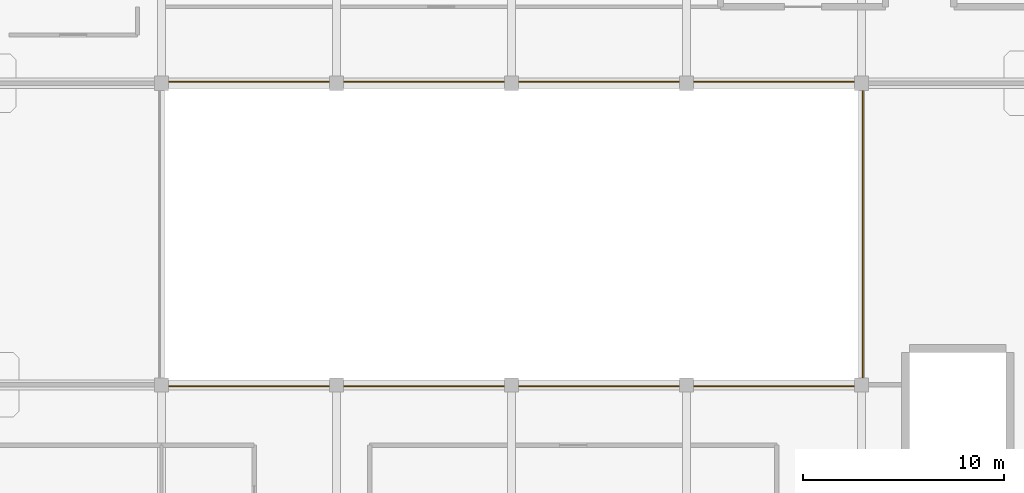
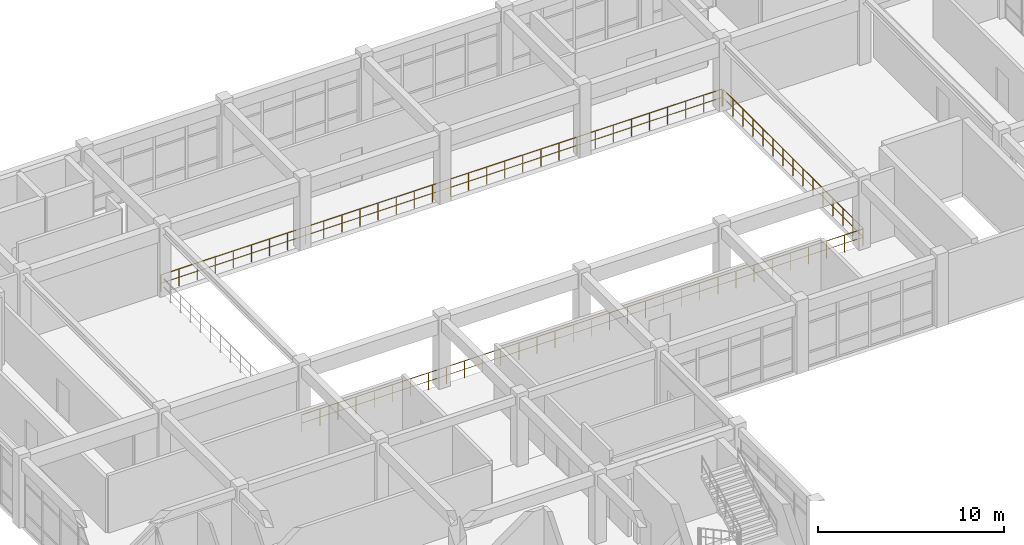
# One storey, part 63 of 64: 3 railings.
"""IFC4 building model written with IfcOpenShell, lengths in metres."""

from ifc_helpers import new_model, si_unit, derived_unit, direction, frame, origin, origin_2d, place, context, subcontext, project, spatial, circle, extrude, material, type_object, element, save


model = new_model("IFC4")

# Units and contexts
model_context = context("Model", 3, precision=1e-05, world=origin(), true_north=direction((0.0, 1.0)))
body_context = subcontext(model_context, "Body", "Model", "MODEL_VIEW")
ifc_project = project(units=[si_unit("LENGTHUNIT", "METRE"), si_unit("AREAUNIT", "SQUARE_METRE"), si_unit("VOLUMEUNIT", "CUBIC_METRE"), si_unit("PLANEANGLEUNIT", "RADIAN"), si_unit("MASSUNIT", "GRAM", prefix="KILO"), derived_unit("THERMALTRANSMITTANCEUNIT", [(si_unit("MASSUNIT", "GRAM", prefix="KILO"), 1), (si_unit("TIMEUNIT", "SECOND"), -3), (si_unit("THERMODYNAMICTEMPERATUREUNIT", "KELVIN"), -1)])], contexts=[model_context])

# Site, building, storey
site_placement = place(None, origin())
site = spatial("IfcSite", under=ifc_project, at=site_placement, CompositionType="ELEMENT")
building_placement = place(site_placement, origin())
building = spatial("IfcBuilding", under=site, at=building_placement, Name="Qinzheling Arcade Emporium", CompositionType="ELEMENT")
storey_placement = place(building_placement, frame((0.0, 0.0, 31.5)))
storey = spatial("IfcBuildingStorey", under=building, at=storey_placement, Name="L07", CompositionType="ELEMENT", Elevation=31.5)

# Railings
ifc_material = material(Name="Galvanised powder-coated tubular steel", Category="steel")
railing_type = type_object("IfcRailingType", Name="Painted Steel Stairwell Guard Railing 1150", PredefinedType="GUARDRAIL", material=ifc_material)
railing_1_placement = place(storey_placement, frame((52.169921875, 50.320068359375, 0.0)))
element("IfcRailing", 1, at=railing_1_placement, inside=storey, type_object=railing_type, Name="Atrium Void Guard L07 S", PredefinedType="GUARDRAIL", context=body_context, shape_type="SweptSolid", body=[
    extrude(circle(Radius=0.02392578125, at=origin_2d()), frame((0.0, 0.0, 1.1259765625), z_axis=(1.0, 0.0, 0.0), x_axis=(0.0, 1.0, 0.0)), (0.0, 0.0, 1.0), 34.860107421875),
    extrude(circle(Radius=0.01611328125, at=origin_2d()), frame((0.0, 0.0, 0.574951171875), z_axis=(1.0, 0.0, 0.0), x_axis=(0.0, 1.0, 0.0)), (0.0, 0.0, 1.0), 34.860107421875),
    extrude(circle(Radius=0.02099609375, at=origin_2d()), origin(), (0.0, 0.0, 1.0), 1.101806640625),
    extrude(circle(Radius=0.02099609375, at=origin_2d()), frame((1.12451171875, 0.0, 0.0)), (0.0, 0.0, 1.0), 1.101806640625),
    extrude(circle(Radius=0.02099609375, at=origin_2d()), frame((2.2490234375, 0.0, 0.0)), (0.0, 0.0, 1.0), 1.101806640625),
    extrude(circle(Radius=0.02099609375, at=origin_2d()), frame((3.37353515625, 0.0, 0.0)), (0.0, 0.0, 1.0), 1.101806640625),
    extrude(circle(Radius=0.02099609375, at=origin_2d()), frame((4.498046875, 0.0, 0.0)), (0.0, 0.0, 1.0), 1.101806640625),
    extrude(circle(Radius=0.02099609375, at=origin_2d()), frame((5.62255859375, 0.0, 0.0)), (0.0, 0.0, 1.0), 1.101806640625),
    extrude(circle(Radius=0.02099609375, at=origin_2d()), frame((6.7470703125, 0.0, 0.0)), (0.0, 0.0, 1.0), 1.101806640625),
    extrude(circle(Radius=0.02099609375, at=origin_2d()), frame((7.87158203125, 0.0, 0.0)), (0.0, 0.0, 1.0), 1.101806640625),
    extrude(circle(Radius=0.02099609375, at=origin_2d()), frame((8.99609375, 0.0, 0.0)), (0.0, 0.0, 1.0), 1.101806640625),
    extrude(circle(Radius=0.02099609375, at=origin_2d()), frame((10.12060546875, 0.0, 0.0)), (0.0, 0.0, 1.0), 1.101806640625),
    extrude(circle(Radius=0.02099609375, at=origin_2d()), frame((11.2451171875, 0.0, 0.0)), (0.0, 0.0, 1.0), 1.101806640625),
    extrude(circle(Radius=0.02099609375, at=origin_2d()), frame((12.36962890625, 0.0, 0.0)), (0.0, 0.0, 1.0), 1.101806640625),
    extrude(circle(Radius=0.02099609375, at=origin_2d()), frame((13.494140625, 0.0, 0.0)), (0.0, 0.0, 1.0), 1.101806640625),
    extrude(circle(Radius=0.02099609375, at=origin_2d()), frame((14.61865234375, 0.0, 0.0)), (0.0, 0.0, 1.0), 1.101806640625),
    extrude(circle(Radius=0.02099609375, at=origin_2d()), frame((15.7431640625, 0.0, 0.0)), (0.0, 0.0, 1.0), 1.101806640625),
    extrude(circle(Radius=0.02099609375, at=origin_2d()), frame((16.86767578125, 0.0, 0.0)), (0.0, 0.0, 1.0), 1.101806640625),
    extrude(circle(Radius=0.02099609375, at=origin_2d()), frame((17.992431640625, 0.0, 0.0)), (0.0, 0.0, 1.0), 1.101806640625),
    extrude(circle(Radius=0.02099609375, at=origin_2d()), frame((19.116943359375, 0.0, 0.0)), (0.0, 0.0, 1.0), 1.101806640625),
    extrude(circle(Radius=0.02099609375, at=origin_2d()), frame((20.241455078125, 0.0, 0.0)), (0.0, 0.0, 1.0), 1.101806640625),
    extrude(circle(Radius=0.02099609375, at=origin_2d()), frame((21.365966796875, 0.0, 0.0)), (0.0, 0.0, 1.0), 1.101806640625),
    extrude(circle(Radius=0.02099609375, at=origin_2d()), frame((22.490478515625, 0.0, 0.0)), (0.0, 0.0, 1.0), 1.101806640625),
    extrude(circle(Radius=0.02099609375, at=origin_2d()), frame((23.614990234375, 0.0, 0.0)), (0.0, 0.0, 1.0), 1.101806640625),
    extrude(circle(Radius=0.02099609375, at=origin_2d()), frame((24.739501953125, 0.0, 0.0)), (0.0, 0.0, 1.0), 1.101806640625),
    extrude(circle(Radius=0.02099609375, at=origin_2d()), frame((25.864013671875, 0.0, 0.0)), (0.0, 0.0, 1.0), 1.101806640625),
    extrude(circle(Radius=0.02099609375, at=origin_2d()), frame((26.988525390625, 0.0, 0.0)), (0.0, 0.0, 1.0), 1.101806640625),
    extrude(circle(Radius=0.02099609375, at=origin_2d()), frame((28.113037109375, 0.0, 0.0)), (0.0, 0.0, 1.0), 1.101806640625),
    extrude(circle(Radius=0.02099609375, at=origin_2d()), frame((29.237548828125, 0.0, 0.0)), (0.0, 0.0, 1.0), 1.101806640625),
    extrude(circle(Radius=0.02099609375, at=origin_2d()), frame((30.362060546875, 0.0, 0.0)), (0.0, 0.0, 1.0), 1.101806640625),
    extrude(circle(Radius=0.02099609375, at=origin_2d()), frame((31.486572265625, 0.0, 0.0)), (0.0, 0.0, 1.0), 1.101806640625),
    extrude(circle(Radius=0.02099609375, at=origin_2d()), frame((32.611083984375, 0.0, 0.0)), (0.0, 0.0, 1.0), 1.101806640625),
    extrude(circle(Radius=0.02099609375, at=origin_2d()), frame((33.735595703125, 0.0, 0.0)), (0.0, 0.0, 1.0), 1.101806640625),
    extrude(circle(Radius=0.02099609375, at=origin_2d()), frame((34.860107421875, 0.0, 0.0)), (0.0, 0.0, 1.0), 1.101806640625),
])
railing_2_placement = place(storey_placement, frame((52.169921875, 65.47998046875, 0.0)))
element("IfcRailing", 2, at=railing_2_placement, inside=storey, type_object=railing_type, Name="Atrium Void Guard L07 N", PredefinedType="GUARDRAIL", context=body_context, shape_type="SweptSolid", body=[
    extrude(circle(Radius=0.02392578125, at=origin_2d()), frame((0.0, 0.0, 1.1259765625), z_axis=(1.0, 0.0, 0.0), x_axis=(0.0, 1.0, 0.0)), (0.0, 0.0, 1.0), 34.860107421875),
    extrude(circle(Radius=0.01611328125, at=origin_2d()), frame((0.0, 0.0, 0.574951171875), z_axis=(1.0, 0.0, 0.0), x_axis=(0.0, 1.0, 0.0)), (0.0, 0.0, 1.0), 34.860107421875),
    extrude(circle(Radius=0.02099609375, at=origin_2d()), origin(), (0.0, 0.0, 1.0), 1.101806640625),
    extrude(circle(Radius=0.02099609375, at=origin_2d()), frame((1.12451171875, 0.0, 0.0)), (0.0, 0.0, 1.0), 1.101806640625),
    extrude(circle(Radius=0.02099609375, at=origin_2d()), frame((2.2490234375, 0.0, 0.0)), (0.0, 0.0, 1.0), 1.101806640625),
    extrude(circle(Radius=0.02099609375, at=origin_2d()), frame((3.37353515625, 0.0, 0.0)), (0.0, 0.0, 1.0), 1.101806640625),
    extrude(circle(Radius=0.02099609375, at=origin_2d()), frame((4.498046875, 0.0, 0.0)), (0.0, 0.0, 1.0), 1.101806640625),
    extrude(circle(Radius=0.02099609375, at=origin_2d()), frame((5.62255859375, 0.0, 0.0)), (0.0, 0.0, 1.0), 1.101806640625),
    extrude(circle(Radius=0.02099609375, at=origin_2d()), frame((6.7470703125, 0.0, 0.0)), (0.0, 0.0, 1.0), 1.101806640625),
    extrude(circle(Radius=0.02099609375, at=origin_2d()), frame((7.87158203125, 0.0, 0.0)), (0.0, 0.0, 1.0), 1.101806640625),
    extrude(circle(Radius=0.02099609375, at=origin_2d()), frame((8.99609375, 0.0, 0.0)), (0.0, 0.0, 1.0), 1.101806640625),
    extrude(circle(Radius=0.02099609375, at=origin_2d()), frame((10.12060546875, 0.0, 0.0)), (0.0, 0.0, 1.0), 1.101806640625),
    extrude(circle(Radius=0.02099609375, at=origin_2d()), frame((11.2451171875, 0.0, 0.0)), (0.0, 0.0, 1.0), 1.101806640625),
    extrude(circle(Radius=0.02099609375, at=origin_2d()), frame((12.36962890625, 0.0, 0.0)), (0.0, 0.0, 1.0), 1.101806640625),
    extrude(circle(Radius=0.02099609375, at=origin_2d()), frame((13.494140625, 0.0, 0.0)), (0.0, 0.0, 1.0), 1.101806640625),
    extrude(circle(Radius=0.02099609375, at=origin_2d()), frame((14.61865234375, 0.0, 0.0)), (0.0, 0.0, 1.0), 1.101806640625),
    extrude(circle(Radius=0.02099609375, at=origin_2d()), frame((15.7431640625, 0.0, 0.0)), (0.0, 0.0, 1.0), 1.101806640625),
    extrude(circle(Radius=0.02099609375, at=origin_2d()), frame((16.86767578125, 0.0, 0.0)), (0.0, 0.0, 1.0), 1.101806640625),
    extrude(circle(Radius=0.02099609375, at=origin_2d()), frame((17.992431640625, 0.0, 0.0)), (0.0, 0.0, 1.0), 1.101806640625),
    extrude(circle(Radius=0.02099609375, at=origin_2d()), frame((19.116943359375, 0.0, 0.0)), (0.0, 0.0, 1.0), 1.101806640625),
    extrude(circle(Radius=0.02099609375, at=origin_2d()), frame((20.241455078125, 0.0, 0.0)), (0.0, 0.0, 1.0), 1.101806640625),
    extrude(circle(Radius=0.02099609375, at=origin_2d()), frame((21.365966796875, 0.0, 0.0)), (0.0, 0.0, 1.0), 1.101806640625),
    extrude(circle(Radius=0.02099609375, at=origin_2d()), frame((22.490478515625, 0.0, 0.0)), (0.0, 0.0, 1.0), 1.101806640625),
    extrude(circle(Radius=0.02099609375, at=origin_2d()), frame((23.614990234375, 0.0, 0.0)), (0.0, 0.0, 1.0), 1.101806640625),
    extrude(circle(Radius=0.02099609375, at=origin_2d()), frame((24.739501953125, 0.0, 0.0)), (0.0, 0.0, 1.0), 1.101806640625),
    extrude(circle(Radius=0.02099609375, at=origin_2d()), frame((25.864013671875, 0.0, 0.0)), (0.0, 0.0, 1.0), 1.101806640625),
    extrude(circle(Radius=0.02099609375, at=origin_2d()), frame((26.988525390625, 0.0, 0.0)), (0.0, 0.0, 1.0), 1.101806640625),
    extrude(circle(Radius=0.02099609375, at=origin_2d()), frame((28.113037109375, 0.0, 0.0)), (0.0, 0.0, 1.0), 1.101806640625),
    extrude(circle(Radius=0.02099609375, at=origin_2d()), frame((29.237548828125, 0.0, 0.0)), (0.0, 0.0, 1.0), 1.101806640625),
    extrude(circle(Radius=0.02099609375, at=origin_2d()), frame((30.362060546875, 0.0, 0.0)), (0.0, 0.0, 1.0), 1.101806640625),
    extrude(circle(Radius=0.02099609375, at=origin_2d()), frame((31.486572265625, 0.0, 0.0)), (0.0, 0.0, 1.0), 1.101806640625),
    extrude(circle(Radius=0.02099609375, at=origin_2d()), frame((32.611083984375, 0.0, 0.0)), (0.0, 0.0, 1.0), 1.101806640625),
    extrude(circle(Radius=0.02099609375, at=origin_2d()), frame((33.735595703125, 0.0, 0.0)), (0.0, 0.0, 1.0), 1.101806640625),
    extrude(circle(Radius=0.02099609375, at=origin_2d()), frame((34.860107421875, 0.0, 0.0)), (0.0, 0.0, 1.0), 1.101806640625),
])
railing_3_placement = place(storey_placement, frame((87.080078125, 50.3701171875, 0.0)))
element("IfcRailing", 3, at=railing_3_placement, inside=storey, type_object=railing_type, Name="Atrium Void Guard L07 E", PredefinedType="GUARDRAIL", context=body_context, shape_type="SweptSolid", body=[
    extrude(circle(Radius=0.02392578125, at=origin_2d()), frame((0.0, 0.0, 1.1259765625), z_axis=(0.0, 1.0, 0.0), x_axis=(-1.0, 0.0, 0.0)), (0.0, 0.0, 1.0), 15.059814453125),
    extrude(circle(Radius=0.01611328125, at=origin_2d()), frame((0.0, 0.0, 0.574951171875), z_axis=(0.0, 1.0, 0.0), x_axis=(-1.0, 0.0, 0.0)), (0.0, 0.0, 1.0), 15.059814453125),
    extrude(circle(Radius=0.02099609375, at=origin_2d()), origin(), (0.0, 0.0, 1.0), 1.101806640625),
    extrude(circle(Radius=0.02099609375, at=origin_2d()), frame((0.0, 1.07568359375, 0.0)), (0.0, 0.0, 1.0), 1.101806640625),
    extrude(circle(Radius=0.02099609375, at=origin_2d()), frame((0.0, 2.1513671875, 0.0)), (0.0, 0.0, 1.0), 1.101806640625),
    extrude(circle(Radius=0.02099609375, at=origin_2d()), frame((0.0, 3.22705078125, 0.0)), (0.0, 0.0, 1.0), 1.101806640625),
    extrude(circle(Radius=0.02099609375, at=origin_2d()), frame((0.0, 4.302734375, 0.0)), (0.0, 0.0, 1.0), 1.101806640625),
    extrude(circle(Radius=0.02099609375, at=origin_2d()), frame((0.0, 5.37841796875, 0.0)), (0.0, 0.0, 1.0), 1.101806640625),
    extrude(circle(Radius=0.02099609375, at=origin_2d()), frame((0.0, 6.4541015625, 0.0)), (0.0, 0.0, 1.0), 1.101806640625),
    extrude(circle(Radius=0.02099609375, at=origin_2d()), frame((0.0, 7.52978515625, 0.0)), (0.0, 0.0, 1.0), 1.101806640625),
    extrude(circle(Radius=0.02099609375, at=origin_2d()), frame((0.0, 8.605712890625, 0.0)), (0.0, 0.0, 1.0), 1.101806640625),
    extrude(circle(Radius=0.02099609375, at=origin_2d()), frame((0.0, 9.681396484375, 0.0)), (0.0, 0.0, 1.0), 1.101806640625),
    extrude(circle(Radius=0.02099609375, at=origin_2d()), frame((0.0, 10.757080078125, 0.0)), (0.0, 0.0, 1.0), 1.101806640625),
    extrude(circle(Radius=0.02099609375, at=origin_2d()), frame((0.0, 11.832763671875, 0.0)), (0.0, 0.0, 1.0), 1.101806640625),
    extrude(circle(Radius=0.02099609375, at=origin_2d()), frame((0.0, 12.908447265625, 0.0)), (0.0, 0.0, 1.0), 1.101806640625),
    extrude(circle(Radius=0.02099609375, at=origin_2d()), frame((0.0, 13.984130859375, 0.0)), (0.0, 0.0, 1.0), 1.101806640625),
    extrude(circle(Radius=0.02099609375, at=origin_2d()), frame((0.0, 15.059814453125, 0.0)), (0.0, 0.0, 1.0), 1.101806640625),
])

save(model, "model.ifc")
